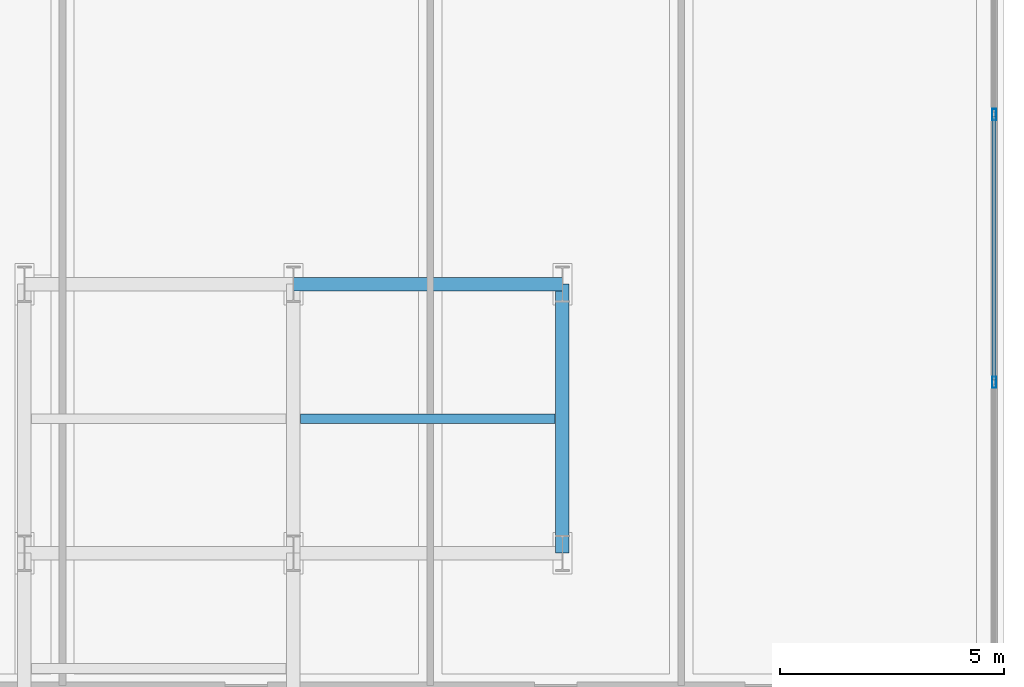
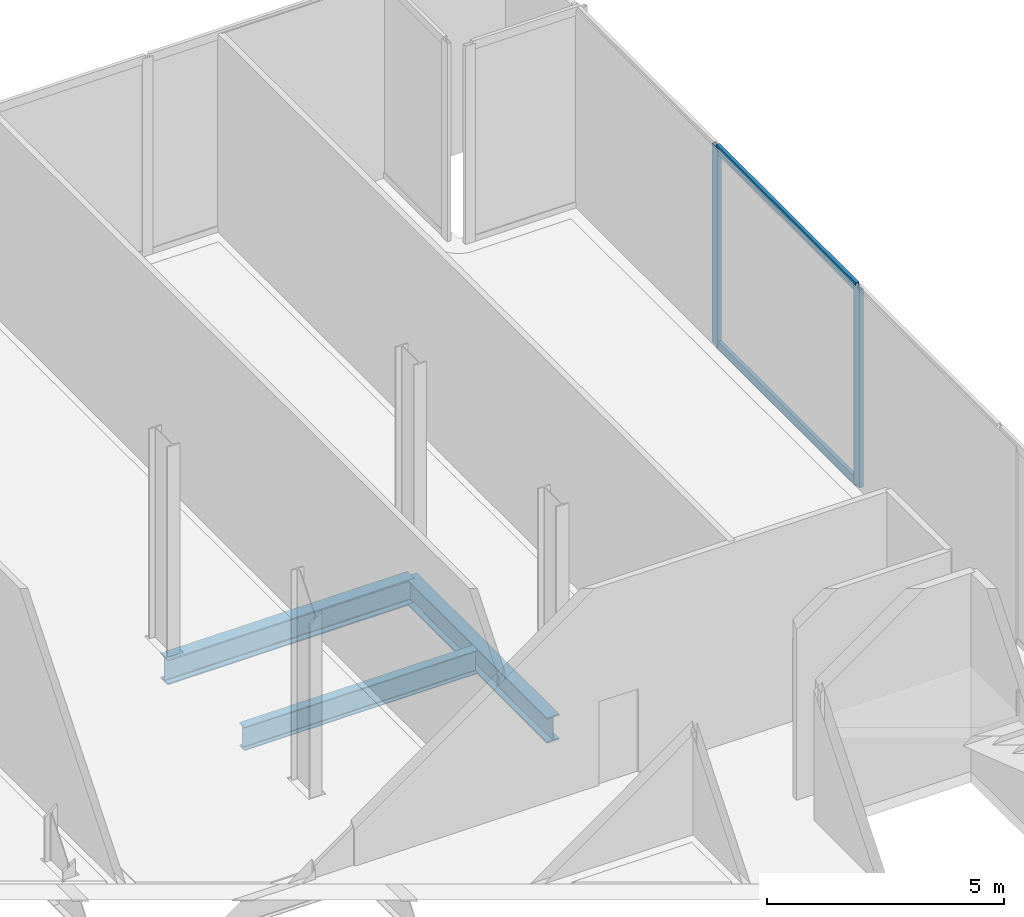
# One storey, part 18 of 28: 4 members, 3 beams, 1 element without a shape of its own.
"""IFC4 building model written with IfcOpenShell, lengths in metres."""

import ifcopenshell
import ifcopenshell.guid

model = None  # the IFC model being written
_history = None  # IfcOwnerHistory: only IFC2X3 demands one
_inside = {}  # id of a spatial element -> (the spatial element, [elements in it])
_under = {}  # id of a project, library or spatial element -> (it, [spatial elements below it])
_declared = {}  # id of a project -> (the project, [libraries it declares])
_typed = {}  # id of a type object -> (the type object, [elements of that type])
_made_of = {}  # id of a material, layer set ... -> (it, [elements and type objects made of it])


def new_model(schema):
    """Start an empty IFC model of exactly this schema.

    Asked for "IFC4X3", IfcOpenShell would pick the latest addendum, in which some entities
    have other attributes; the version numbers below select the first issue.
    IFC2X3 requires an IfcOwnerHistory on every rooted entity: one is made here for all.
    """
    global model, _history
    if schema == "IFC4X3":
        model = ifcopenshell.file(schema_version=(4, 3, 0, 0))
    else:
        model = ifcopenshell.file(schema=schema)
    _inside.clear()
    _under.clear()
    _declared.clear()
    _typed.clear()
    _made_of.clear()
    _history = None
    if model.schema == "IFC2X3":
        org = make("IfcOrganization", Name="unknown")
        user = make(
            "IfcPersonAndOrganization",
            ThePerson=make("IfcPerson", FamilyName="unknown"),
            TheOrganization=org,
        )
        app = make(
            "IfcApplication",
            ApplicationDeveloper=org,
            Version="unknown",
            ApplicationFullName="unknown",
            ApplicationIdentifier="unknown",
        )
        _history = make(
            "IfcOwnerHistory",
            OwningUser=user,
            OwningApplication=app,
            ChangeAction="ADDED",
            CreationDate=0,
        )
    return model


def make(cls, **values):
    """One entity of the class cls with the attributes given. An attribute that is None is left unset."""
    return model.create_entity(
        cls, **{name: value for name, value in values.items() if value is not None}
    )


def rooted(cls, **values):
    """An entity with a GlobalId (a new one), such as an element, a storey or a relation."""
    return make(cls, GlobalId=ifcopenshell.guid.new(), OwnerHistory=_history, **values)


def si_unit(unit_type, name, prefix=None):
    """IfcSIUnit, for example si_unit("LENGTHUNIT", "METRE", prefix="MILLI")."""
    return make("IfcSIUnit", UnitType=unit_type, Prefix=prefix, Name=name)


def assignment(units):
    """IfcUnitAssignment: the units of a project."""
    return None if units is None else make("IfcUnitAssignment", Units=units)


def point(xyz):
    """IfcCartesianPoint."""
    return None if xyz is None else make("IfcCartesianPoint", Coordinates=xyz)


def direction(xyz):
    """IfcDirection."""
    return None if xyz is None else make("IfcDirection", DirectionRatios=xyz)


def frame(location, z_axis=None, x_axis=None):
    """IfcAxis2Placement3D, a coordinate frame: its origin and axes. An axis left out is left unset."""
    return make(
        "IfcAxis2Placement3D",
        Location=point(location),
        Axis=direction(z_axis),
        RefDirection=direction(x_axis),
    )


def frame_2d(location, x_axis=None):
    """IfcAxis2Placement2D, a coordinate frame in the plane: its origin and x axis."""
    return make(
        "IfcAxis2Placement2D", Location=point(location), RefDirection=direction(x_axis)
    )


def origin():
    """The frame at (0, 0, 0) with its axes left unset."""
    return frame((0.0, 0.0, 0.0))


def origin_2d():
    """The frame at (0, 0) in the plane with its x axis left unset."""
    return frame_2d((0.0, 0.0))


def place(relative_to, where):
    """IfcLocalPlacement: puts the frame where relative to a parent placement (None: the world)."""
    return make(
        "IfcLocalPlacement", PlacementRelTo=relative_to, RelativePlacement=where
    )


def context(
    kind, dimensions, precision=None, world=None, true_north=None, identifier=None
):
    """IfcGeometricRepresentationContext, for example the 3D "Model" context."""
    return make(
        "IfcGeometricRepresentationContext",
        ContextIdentifier=identifier,
        ContextType=kind,
        CoordinateSpaceDimension=dimensions,
        Precision=precision,
        WorldCoordinateSystem=world,
        TrueNorth=true_north,
    )


def subcontext(parent, identifier, kind, view, scale=None):
    """IfcGeometricRepresentationSubContext, for example "Body" below "Model"."""
    return make(
        "IfcGeometricRepresentationSubContext",
        ContextIdentifier=identifier,
        ContextType=kind,
        ParentContext=parent,
        TargetScale=scale,
        TargetView=view,
    )


def project(units=None, contexts=None):
    """IfcProject with its units and contexts."""
    return rooted(
        "IfcProject",
        Name="project",
        RepresentationContexts=contexts,
        UnitsInContext=assignment(units),
    )


def spatial(cls, under=None, at=None, **own):
    """A site, building, storey or space (cls), placed at a placement, below another one or the project."""
    s = rooted(cls, ObjectPlacement=at, **own)
    if under is not None:
        _under.setdefault(under.id(), (under, []))[1].append(s)
    return s


def profile(cls, at=None, kind="AREA", **sizes):
    """A parametric profile (cls). Its sizes go by their IFC names, for example OverallWidth=200.0."""
    return make(cls, ProfileType=kind, Position=at, **sizes)


def hollow_rectangle(**sizes):
    """IfcRectangleHollowProfileDef."""
    return profile("IfcRectangleHollowProfileDef", **sizes)


def i_section(**sizes):
    """IfcIShapeProfileDef."""
    return profile("IfcIShapeProfileDef", **sizes)


def extrude(swept, where, along, depth):
    """IfcExtrudedAreaSolid: the profile swept, set in the frame where, extruded along a direction by depth."""
    return make(
        "IfcExtrudedAreaSolid",
        SweptArea=swept,
        Position=where,
        ExtrudedDirection=direction(along),
        Depth=depth,
    )


def shape(context_of_items, identifier, shape_type, items):
    """IfcShapeRepresentation: the items that make up one representation, for example the "Body"."""
    return make(
        "IfcShapeRepresentation",
        ContextOfItems=context_of_items,
        RepresentationIdentifier=identifier,
        RepresentationType=shape_type,
        Items=items,
    )


def material(Name=None, Category=None):
    """IfcMaterial."""
    return make("IfcMaterial", Name=Name, Category=Category)


def layer(
    of_material, thickness, ventilated=None, Name=None, Category=None, Priority=None
):
    """IfcMaterialLayer: one layer of a wall or slab, of a material (None: an air gap)."""
    return make(
        "IfcMaterialLayer",
        Material=of_material,
        LayerThickness=thickness,
        IsVentilated=ventilated,
        Name=Name,
        Category=Category,
        Priority=Priority,
    )


def layer_set(layers, Name=None):
    """IfcMaterialLayerSet."""
    return make("IfcMaterialLayerSet", MaterialLayers=layers, LayerSetName=Name)


def material_profile(
    of_material, cross_section, Name=None, Category=None, Priority=None
):
    """IfcMaterialProfile: a cross section and its material."""
    return make(
        "IfcMaterialProfile",
        Name=Name,
        Material=of_material,
        Profile=cross_section,
        Priority=Priority,
        Category=Category,
    )


def profile_set(profiles, Name=None, composite=None):
    """IfcMaterialProfileSet."""
    return make(
        "IfcMaterialProfileSet",
        Name=Name,
        MaterialProfiles=profiles,
        CompositeProfile=composite,
    )


def made_of(thing, what):
    """Note that an element or type object is made of a material, layer set ...; save() writes the relation."""
    if what is not None:
        _made_of.setdefault(what.id(), (what, []))[1].append(thing)
    return thing


def type_object(cls, material=None, **own):
    """A type object (cls), such as IfcWallType, which elements share."""
    return made_of(rooted(cls, **own), material)


def element(
    cls,
    number,
    at=None,
    inside=None,
    cuts=None,
    type_object=None,
    material=None,
    context=None,
    identifier="Body",
    shape_type=None,
    held_by="IfcProductDefinitionShape",
    body=None,
    shapes=None,
    **own,
):
    """One element of the class cls, such as IfcWall. Its Tag is "e" and its number.

    at: its placement. inside: the storey or other place that contains it. cuts: it is an
    opening in that element (IfcRelVoidsElement). A single representation is given by context,
    identifier, shape_type and body (its items); several are given by shapes. held_by: the class
    of the entity that holds the representations. save() writes the other relations.
    """
    e = rooted(cls, Tag="e%d" % number, ObjectPlacement=at, **own)
    if body is not None:
        shapes = [shape(context, identifier, shape_type, body)]
    if shapes is not None:
        e.Representation = make(held_by, Representations=shapes)
    if inside is not None:
        _inside.setdefault(inside.id(), (inside, []))[1].append(e)
    if cuts is not None:
        rooted(
            "IfcRelVoidsElement", RelatingBuildingElement=cuts, RelatedOpeningElement=e
        )
    if type_object is not None:
        _typed.setdefault(type_object.id(), (type_object, []))[1].append(e)
    return made_of(e, material)


def aggregate(whole, parts):
    """IfcRelAggregates: a whole, such as a stair, and the parts it consists of."""
    return rooted("IfcRelAggregates", RelatingObject=whole, RelatedObjects=parts)


def save(model, path):
    """Write the relations noted so far, then the file.

    IfcRelAggregates (storeys below a building ...), IfcRelContainedInSpatialStructure (elements
    in a storey), IfcRelDefinesByType, IfcRelAssociatesMaterial and IfcRelDeclares: one each for
    every whole, place, type object, material and project.
    """
    for whole, parts in _under.values():
        aggregate(whole, parts)
    for where, things in _inside.values():
        rooted(
            "IfcRelContainedInSpatialStructure",
            RelatedElements=things,
            RelatingStructure=where,
        )
    for kind, things in _typed.values():
        rooted("IfcRelDefinesByType", RelatedObjects=things, RelatingType=kind)
    for what, things in _made_of.values():
        rooted("IfcRelAssociatesMaterial", RelatedObjects=things, RelatingMaterial=what)
    for by, libraries in _declared.values():
        rooted("IfcRelDeclares", RelatingContext=by, RelatedDefinitions=libraries)
    model.write(path)


model = new_model("IFC4")

# Units and contexts
model_context = context("Model", 3, precision=1e-05, world=origin(), true_north=direction((0.0, 1.0)))
body_context = subcontext(model_context, "Body", "Model", "MODEL_VIEW")
ifc_project = project(units=[si_unit("LENGTHUNIT", "METRE"), si_unit("AREAUNIT", "SQUARE_METRE"), si_unit("VOLUMEUNIT", "CUBIC_METRE"), si_unit("PLANEANGLEUNIT", "RADIAN"), si_unit("MASSUNIT", "GRAM", prefix="KILO"), si_unit("THERMODYNAMICTEMPERATUREUNIT", "KELVIN"), si_unit("POWERUNIT", "WATT")], contexts=[model_context])

# Site, building, storey
site_placement = place(None, origin())
site = spatial("IfcSite", under=ifc_project, at=site_placement, CompositionType="ELEMENT")
building_placement = place(site_placement, origin())
building = spatial("IfcBuilding", under=site, at=building_placement, Name="Svarakhadi Broadcast Tower", CompositionType="ELEMENT")
storey_placement = place(building_placement, frame((0.0, 0.0, 11.10009765625)))
storey = spatial("IfcBuildingStorey", under=building, at=storey_placement, Name="L02", CompositionType="ELEMENT", Elevation=11.10009765625)

# Beam
ifc_material_1 = material(Name="Steel S355J2 (IS 2062 E350C)", Category="steel")
ifc_material_profile_1 = material_profile(ifc_material_1, i_section(OverallWidth=0.219970703125, OverallDepth=0.60009765625, WebThickness=0.011962890625, FlangeThickness=0.01904296875, FilletRadius=0.02392578125, at=origin_2d()), Name="NPB 600x220x122")
ifc_profile_set_1 = profile_set([ifc_material_profile_1], Name="Steel S355J2 (IS 2062 E350C)")
beam_type_1 = type_object("IfcBeamType", Name="Beam_NPB600", PredefinedType="BEAM", material=ifc_profile_set_1)
beam_placement = place(storey_placement, frame((47.31005859375, 32.14990234375, -0.5751953125), z_axis=(1.0, 0.0, 0.0), x_axis=(0.0, 1.0, 0.0)))
element("IfcBeam", 1, at=beam_placement, inside=storey, type_object=beam_type_1, Name="L02 Secondary Composite Beam SB024", PredefinedType="BEAM", context=body_context, shape_type="SweptSolid", body=[
    extrude(i_section(OverallWidth=0.219970703125, OverallDepth=0.60009765625, WebThickness=0.011962890625, FlangeThickness=0.01904296875, FilletRadius=0.02392578125, at=origin_2d()), origin(), (0.0, 0.0, 1.0), 5.679931640625),
])

# Curtain wall, members
ifc_material_2 = material(Name="Anodised Bronze Aluminium AA 6063-T6", Category="aluminium")
ifc_layer = layer(ifc_material_2, 0.25)
ifc_layer_set = layer_set([ifc_layer], Name="Anodised Bronze Aluminium AA 6063-T6")
curtain_wall_type = type_object("IfcCurtainWallType", Name="CW_Sys_01", PredefinedType="NOTDEFINED", material=ifc_layer_set)
curtain_wall_placement = place(storey_placement, origin())
curtain_wall = element("IfcCurtainWall", 2, at=curtain_wall_placement, inside=storey, type_object=curtain_wall_type, Name="L02 Unitised Facade Curtain Wall 08", PredefinedType="NOTDEFINED")
ifc_material_profile_2 = material_profile(ifc_material_2, hollow_rectangle(XDim=0.094970703125, YDim=0.25, WallThickness=0.006103515625, at=origin_2d()), Name="ALU MULLION 250x95x6")
ifc_profile_set_2 = profile_set([ifc_material_profile_2], Name="Anodised Bronze Aluminium AA 6063-T6")
member_type_1 = type_object("IfcMemberType", Name="CW_Sys_01_Mul", PredefinedType="MULLION", material=ifc_profile_set_2)
member_1_placement = place(storey_placement, frame((62.780029296875, 38.935791015625, 0.0), z_axis=(0.0, 0.0, 1.0), x_axis=(1.0, 0.0, 0.0)))
member_1 = element("IfcMember", 3, at=member_1_placement, type_object=member_type_1, Name="CW-01 mullion 2", PredefinedType="MULLION", context=body_context, shape_type="SweptSolid", body=[
    extrude(hollow_rectangle(XDim=0.094970703125, YDim=0.25, WallThickness=0.006103515625, at=origin_2d()), origin(), (0.0, 0.0, 1.0), 5.099853515625),
])
member_2_placement = place(storey_placement, frame((62.780029296875, 32.96142578125, 0.0), z_axis=(0.0, 0.0, 1.0), x_axis=(1.0, 0.0, 0.0)))
member_2 = element("IfcMember", 4, at=member_2_placement, type_object=member_type_1, Name="CW-01 mullion 3", PredefinedType="MULLION", context=body_context, shape_type="SweptSolid", body=[
    extrude(hollow_rectangle(XDim=0.094970703125, YDim=0.25, WallThickness=0.006103515625, at=origin_2d()), origin(), (0.0, 0.0, 1.0), 5.099853515625),
])
ifc_material_profile_3 = material_profile(ifc_material_2, hollow_rectangle(XDim=0.0849609375, YDim=0.219970703125, WallThickness=0.0048828125, at=origin_2d()), Name="ALU TRANSOM 220x85x5")
ifc_profile_set_3 = profile_set([ifc_material_profile_3], Name="Anodised Bronze Aluminium AA 6063-T6")
member_type_2 = type_object("IfcMemberType", Name="CW_Sys_01_Trn", PredefinedType="USERDEFINED", material=ifc_profile_set_3)
member_3_placement = place(storey_placement, frame((62.780029296875, 38.88818359375, 0.04248046875), z_axis=(0.0, -1.0, 0.0), x_axis=(1.0, 0.0, 0.0)))
member_3 = element("IfcMember", 5, at=member_3_placement, type_object=member_type_2, Name="CW-01 transom 2.1", ObjectType="TRANSOM", PredefinedType="USERDEFINED", context=body_context, shape_type="SweptSolid", body=[
    extrude(hollow_rectangle(XDim=0.0849609375, YDim=0.219970703125, WallThickness=0.0048828125, at=origin_2d()), origin(), (0.0, 0.0, 1.0), 5.879150390625),
])
member_4_placement = place(storey_placement, frame((62.780029296875, 38.88818359375, 5.057373046875), z_axis=(0.0, -1.0, 0.0), x_axis=(1.0, 0.0, 0.0)))
member_4 = element("IfcMember", 6, at=member_4_placement, type_object=member_type_2, Name="CW-01 transom 2.2", ObjectType="TRANSOM", PredefinedType="USERDEFINED", context=body_context, shape_type="SweptSolid", body=[
    extrude(hollow_rectangle(XDim=0.0849609375, YDim=0.219970703125, WallThickness=0.0048828125, at=origin_2d()), origin(), (0.0, 0.0, 1.0), 5.879150390625),
])
aggregate(curtain_wall, [member_1, member_2, member_3, member_4])

# Beams
ifc_material_profile_4 = material_profile(ifc_material_1, i_section(OverallWidth=0.300048828125, OverallDepth=0.64990234375, WebThickness=0.01611328125, FlangeThickness=0.031005859375, FilletRadius=0.027099609375, at=origin_2d()), Name="WPB 650x300x225")
ifc_profile_set_4 = profile_set([ifc_material_profile_4], Name="Steel S355J2 (IS 2062 E350C)")
beam_type_2 = type_object("IfcBeamType", Name="Girder_WPB650", PredefinedType="USERDEFINED", material=ifc_profile_set_4)
for number, where, z_axis, x_axis, name in (
    (7, (47.14990234375, 35.14990234375, -0.60009765625), (1.0, 0.0, 0.0), (0.0, 1.0, 0.0), "L02 Primary E-W Girder G039"),
    (8, (53.14990234375, 29.14990234375, -0.60009765625), (0.0, 1.0, 0.0), (-1.0, 0.0, 0.0), "L02 Primary N-S Girder G084"),
):
    element("IfcBeam", number, at=place(storey_placement, frame(where, z_axis=z_axis, x_axis=x_axis)), inside=storey, type_object=beam_type_2, Name=name, ObjectType="GIRDER", PredefinedType="USERDEFINED", context=body_context, shape_type="SweptSolid", body=[
        extrude(i_section(OverallWidth=0.300048828125, OverallDepth=0.64990234375, WebThickness=0.01611328125, FlangeThickness=0.031005859375, FilletRadius=0.027099609375, at=origin_2d()), origin(), (0.0, 0.0, 1.0), 6.0),
    ])

save(model, "model.ifc")
